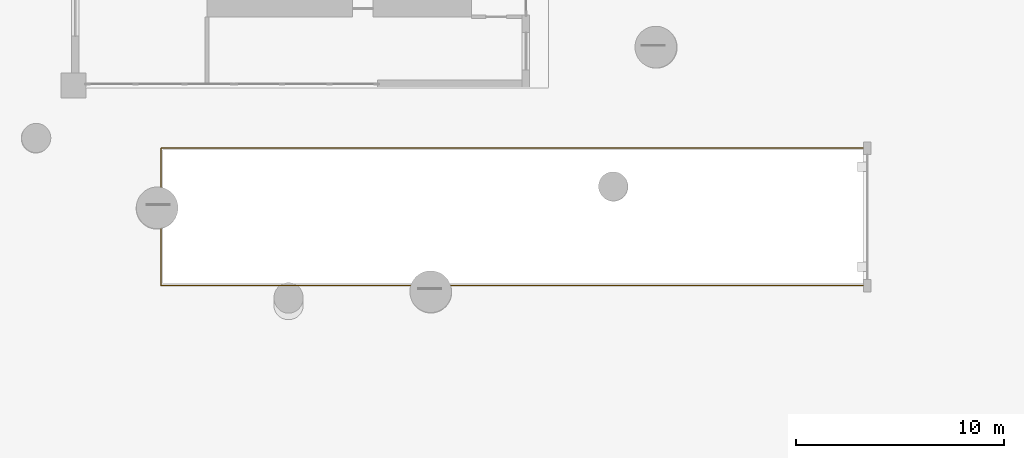
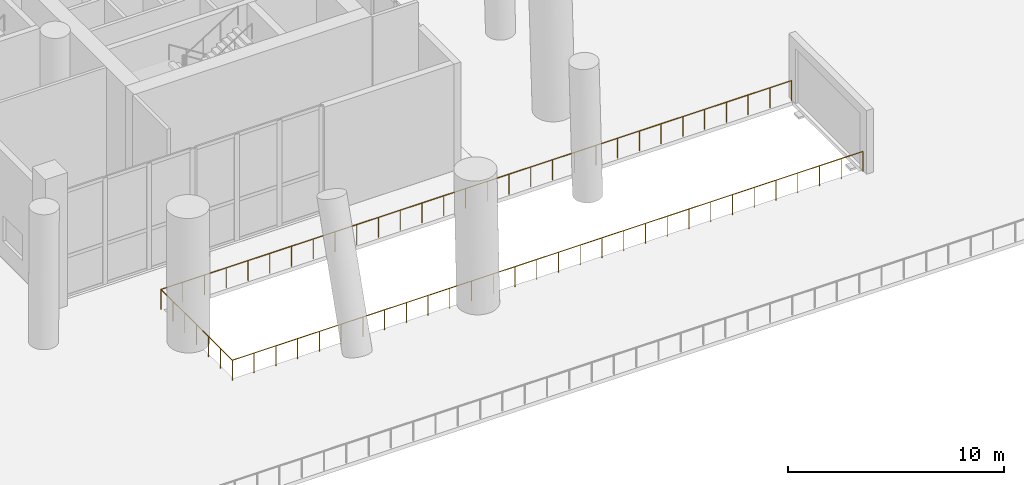
# One storey, part 14 of 16: 1 railing.
"""IFC4 building model written with IfcOpenShell, lengths in metres."""

from ifc_helpers import new_model, si_unit, direction, frame, origin, origin_2d, place, context, subcontext, project, spatial, circle, extrude, source, transform, mapped, material, type_object, element, save


model = new_model("IFC4")

# Units and contexts
model_context = context("Model", 3, precision=1e-05, world=origin(), true_north=direction((0.0, 1.0)))
body_context = subcontext(model_context, "Body", "Model", "MODEL_VIEW")
ifc_project = project(units=[si_unit("LENGTHUNIT", "METRE"), si_unit("AREAUNIT", "SQUARE_METRE"), si_unit("VOLUMEUNIT", "CUBIC_METRE"), si_unit("PLANEANGLEUNIT", "RADIAN"), si_unit("MASSUNIT", "GRAM", prefix="KILO")], contexts=[model_context])

# Site, building, storey
site_placement = place(None, origin())
site = spatial("IfcSite", under=ifc_project, at=site_placement, CompositionType="ELEMENT")
building_placement = place(site_placement, origin())
building = spatial("IfcBuilding", under=site, at=building_placement, Name="Qafzar Sky-Pleat Residences", CompositionType="ELEMENT")
storey_placement = place(building_placement, origin())
storey = spatial("IfcBuildingStorey", under=building, at=storey_placement, Name="L00", CompositionType="ELEMENT", Elevation=0.0)

# Railing
ifc_material = material(Name="Galvanised and bronze-coated Steel S355 guardrail", Category="steel")
railing_type = type_object("IfcRailingType", Name="RAIL-EXT-1150", PredefinedType="GUARDRAIL", material=ifc_material)
shared_shape = source(origin(), body_context, "Body", "SweptSolid", [
    extrude(circle(Radius=0.02392578125, at=origin_2d()), frame((0.0, 0.0, 1.1259765625), z_axis=(-1.0, 0.0, 0.0), x_axis=(0.0, -1.0, 0.0)), (0.0, 0.0, 1.0), 33.699951171875),
    extrude(circle(Radius=0.02392578125, at=origin_2d()), frame((-33.699951171875, 0.0, 1.1259765625), z_axis=(0.0, -1.0, 0.0), x_axis=(1.0, 0.0, 0.0)), (0.0, 0.0, 1.0), 6.60009765625),
    extrude(circle(Radius=0.02392578125, at=origin_2d()), frame((-33.699951171875, -6.60009765625, 1.1259765625), z_axis=(1.0, 0.0, 0.0), x_axis=(0.0, 1.0, 0.0)), (0.0, 0.0, 1.0), 33.699951171875),
    extrude(circle(Radius=0.02099609375, at=origin_2d()), origin(), (0.0, 0.0, 1.0), 1.101806640625),
    extrude(circle(Radius=0.02099609375, at=origin_2d()), frame((-1.162109375, 0.0, 0.0)), (0.0, 0.0, 1.0), 1.101806640625),
    extrude(circle(Radius=0.02099609375, at=origin_2d()), frame((-2.32421875, 0.0, 0.0)), (0.0, 0.0, 1.0), 1.101806640625),
    extrude(circle(Radius=0.02099609375, at=origin_2d()), frame((-3.486083984375, 0.0, 0.0)), (0.0, 0.0, 1.0), 1.101806640625),
    extrude(circle(Radius=0.02099609375, at=origin_2d()), frame((-4.648193359375, 0.0, 0.0)), (0.0, 0.0, 1.0), 1.101806640625),
    extrude(circle(Radius=0.02099609375, at=origin_2d()), frame((-5.810302734375, 0.0, 0.0)), (0.0, 0.0, 1.0), 1.101806640625),
    extrude(circle(Radius=0.02099609375, at=origin_2d()), frame((-6.972412109375, 0.0, 0.0)), (0.0, 0.0, 1.0), 1.101806640625),
    extrude(circle(Radius=0.02099609375, at=origin_2d()), frame((-8.134521484375, 0.0, 0.0)), (0.0, 0.0, 1.0), 1.101806640625),
    extrude(circle(Radius=0.02099609375, at=origin_2d()), frame((-9.296630859375, 0.0, 0.0)), (0.0, 0.0, 1.0), 1.101806640625),
    extrude(circle(Radius=0.02099609375, at=origin_2d()), frame((-10.45849609375, 0.0, 0.0)), (0.0, 0.0, 1.0), 1.101806640625),
    extrude(circle(Radius=0.02099609375, at=origin_2d()), frame((-11.62060546875, 0.0, 0.0)), (0.0, 0.0, 1.0), 1.101806640625),
    extrude(circle(Radius=0.02099609375, at=origin_2d()), frame((-12.78271484375, 0.0, 0.0)), (0.0, 0.0, 1.0), 1.101806640625),
    extrude(circle(Radius=0.02099609375, at=origin_2d()), frame((-13.94482421875, 0.0, 0.0)), (0.0, 0.0, 1.0), 1.101806640625),
    extrude(circle(Radius=0.02099609375, at=origin_2d()), frame((-15.10693359375, 0.0, 0.0)), (0.0, 0.0, 1.0), 1.101806640625),
    extrude(circle(Radius=0.02099609375, at=origin_2d()), frame((-16.26904296875, 0.0, 0.0)), (0.0, 0.0, 1.0), 1.101806640625),
    extrude(circle(Radius=0.02099609375, at=origin_2d()), frame((-17.430908203125, 0.0, 0.0)), (0.0, 0.0, 1.0), 1.101806640625),
    extrude(circle(Radius=0.02099609375, at=origin_2d()), frame((-18.593017578125, 0.0, 0.0)), (0.0, 0.0, 1.0), 1.101806640625),
    extrude(circle(Radius=0.02099609375, at=origin_2d()), frame((-19.755126953125, 0.0, 0.0)), (0.0, 0.0, 1.0), 1.101806640625),
    extrude(circle(Radius=0.02099609375, at=origin_2d()), frame((-20.917236328125, 0.0, 0.0)), (0.0, 0.0, 1.0), 1.101806640625),
    extrude(circle(Radius=0.02099609375, at=origin_2d()), frame((-22.079345703125, 0.0, 0.0)), (0.0, 0.0, 1.0), 1.101806640625),
    extrude(circle(Radius=0.02099609375, at=origin_2d()), frame((-23.241455078125, 0.0, 0.0)), (0.0, 0.0, 1.0), 1.101806640625),
    extrude(circle(Radius=0.02099609375, at=origin_2d()), frame((-24.4033203125, 0.0, 0.0)), (0.0, 0.0, 1.0), 1.101806640625),
    extrude(circle(Radius=0.02099609375, at=origin_2d()), frame((-25.5654296875, 0.0, 0.0)), (0.0, 0.0, 1.0), 1.101806640625),
    extrude(circle(Radius=0.02099609375, at=origin_2d()), frame((-26.7275390625, 0.0, 0.0)), (0.0, 0.0, 1.0), 1.101806640625),
    extrude(circle(Radius=0.02099609375, at=origin_2d()), frame((-27.8896484375, 0.0, 0.0)), (0.0, 0.0, 1.0), 1.101806640625),
    extrude(circle(Radius=0.02099609375, at=origin_2d()), frame((-29.0517578125, 0.0, 0.0)), (0.0, 0.0, 1.0), 1.101806640625),
    extrude(circle(Radius=0.02099609375, at=origin_2d()), frame((-30.2138671875, 0.0, 0.0)), (0.0, 0.0, 1.0), 1.101806640625),
    extrude(circle(Radius=0.02099609375, at=origin_2d()), frame((-31.375732421875, 0.0, 0.0)), (0.0, 0.0, 1.0), 1.101806640625),
    extrude(circle(Radius=0.02099609375, at=origin_2d()), frame((-32.537841796875, 0.0, 0.0)), (0.0, 0.0, 1.0), 1.101806640625),
    extrude(circle(Radius=0.02099609375, at=origin_2d()), frame((-33.699951171875, 0.0, 0.0)), (0.0, 0.0, 1.0), 1.101806640625),
    extrude(circle(Radius=0.02099609375, at=origin_2d()), frame((-33.699951171875, -1.10009765625, 0.0)), (0.0, 0.0, 1.0), 1.101806640625),
    extrude(circle(Radius=0.02099609375, at=origin_2d()), frame((-33.699951171875, -2.199951171875, 0.0)), (0.0, 0.0, 1.0), 1.101806640625),
    extrude(circle(Radius=0.02099609375, at=origin_2d()), frame((-33.699951171875, -3.300048828125, 0.0)), (0.0, 0.0, 1.0), 1.101806640625),
    extrude(circle(Radius=0.02099609375, at=origin_2d()), frame((-33.699951171875, -4.400146484375, 0.0)), (0.0, 0.0, 1.0), 1.101806640625),
    extrude(circle(Radius=0.02099609375, at=origin_2d()), frame((-33.699951171875, -5.5, 0.0)), (0.0, 0.0, 1.0), 1.101806640625),
    extrude(circle(Radius=0.02099609375, at=origin_2d()), frame((-33.699951171875, -6.60009765625, 0.0)), (0.0, 0.0, 1.0), 1.101806640625),
    extrude(circle(Radius=0.02099609375, at=origin_2d()), frame((-32.537841796875, -6.60009765625, 0.0)), (0.0, 0.0, 1.0), 1.101806640625),
    extrude(circle(Radius=0.02099609375, at=origin_2d()), frame((-31.375732421875, -6.60009765625, 0.0)), (0.0, 0.0, 1.0), 1.101806640625),
    extrude(circle(Radius=0.02099609375, at=origin_2d()), frame((-30.2138671875, -6.60009765625, 0.0)), (0.0, 0.0, 1.0), 1.101806640625),
    extrude(circle(Radius=0.02099609375, at=origin_2d()), frame((-29.0517578125, -6.60009765625, 0.0)), (0.0, 0.0, 1.0), 1.101806640625),
    extrude(circle(Radius=0.02099609375, at=origin_2d()), frame((-27.8896484375, -6.60009765625, 0.0)), (0.0, 0.0, 1.0), 1.101806640625),
    extrude(circle(Radius=0.02099609375, at=origin_2d()), frame((-26.7275390625, -6.60009765625, 0.0)), (0.0, 0.0, 1.0), 1.101806640625),
    extrude(circle(Radius=0.02099609375, at=origin_2d()), frame((-25.5654296875, -6.60009765625, 0.0)), (0.0, 0.0, 1.0), 1.101806640625),
    extrude(circle(Radius=0.02099609375, at=origin_2d()), frame((-24.4033203125, -6.60009765625, 0.0)), (0.0, 0.0, 1.0), 1.101806640625),
    extrude(circle(Radius=0.02099609375, at=origin_2d()), frame((-23.241455078125, -6.60009765625, 0.0)), (0.0, 0.0, 1.0), 1.101806640625),
    extrude(circle(Radius=0.02099609375, at=origin_2d()), frame((-22.079345703125, -6.60009765625, 0.0)), (0.0, 0.0, 1.0), 1.101806640625),
    extrude(circle(Radius=0.02099609375, at=origin_2d()), frame((-20.917236328125, -6.60009765625, 0.0)), (0.0, 0.0, 1.0), 1.101806640625),
    extrude(circle(Radius=0.02099609375, at=origin_2d()), frame((-19.755126953125, -6.60009765625, 0.0)), (0.0, 0.0, 1.0), 1.101806640625),
    extrude(circle(Radius=0.02099609375, at=origin_2d()), frame((-18.593017578125, -6.60009765625, 0.0)), (0.0, 0.0, 1.0), 1.101806640625),
    extrude(circle(Radius=0.02099609375, at=origin_2d()), frame((-17.430908203125, -6.60009765625, 0.0)), (0.0, 0.0, 1.0), 1.101806640625),
    extrude(circle(Radius=0.02099609375, at=origin_2d()), frame((-16.26904296875, -6.60009765625, 0.0)), (0.0, 0.0, 1.0), 1.101806640625),
    extrude(circle(Radius=0.02099609375, at=origin_2d()), frame((-15.10693359375, -6.60009765625, 0.0)), (0.0, 0.0, 1.0), 1.101806640625),
    extrude(circle(Radius=0.02099609375, at=origin_2d()), frame((-13.94482421875, -6.60009765625, 0.0)), (0.0, 0.0, 1.0), 1.101806640625),
    extrude(circle(Radius=0.02099609375, at=origin_2d()), frame((-12.78271484375, -6.60009765625, 0.0)), (0.0, 0.0, 1.0), 1.101806640625),
    extrude(circle(Radius=0.02099609375, at=origin_2d()), frame((-11.62060546875, -6.60009765625, 0.0)), (0.0, 0.0, 1.0), 1.101806640625),
    extrude(circle(Radius=0.02099609375, at=origin_2d()), frame((-10.45849609375, -6.60009765625, 0.0)), (0.0, 0.0, 1.0), 1.101806640625),
    extrude(circle(Radius=0.02099609375, at=origin_2d()), frame((-9.296630859375, -6.60009765625, 0.0)), (0.0, 0.0, 1.0), 1.101806640625),
    extrude(circle(Radius=0.02099609375, at=origin_2d()), frame((-8.134521484375, -6.60009765625, 0.0)), (0.0, 0.0, 1.0), 1.101806640625),
    extrude(circle(Radius=0.02099609375, at=origin_2d()), frame((-6.972412109375, -6.60009765625, 0.0)), (0.0, 0.0, 1.0), 1.101806640625),
    extrude(circle(Radius=0.02099609375, at=origin_2d()), frame((-5.810302734375, -6.60009765625, 0.0)), (0.0, 0.0, 1.0), 1.101806640625),
    extrude(circle(Radius=0.02099609375, at=origin_2d()), frame((-4.648193359375, -6.60009765625, 0.0)), (0.0, 0.0, 1.0), 1.101806640625),
    extrude(circle(Radius=0.02099609375, at=origin_2d()), frame((-3.486083984375, -6.60009765625, 0.0)), (0.0, 0.0, 1.0), 1.101806640625),
    extrude(circle(Radius=0.02099609375, at=origin_2d()), frame((-2.32421875, -6.60009765625, 0.0)), (0.0, 0.0, 1.0), 1.101806640625),
    extrude(circle(Radius=0.02099609375, at=origin_2d()), frame((-1.162109375, -6.60009765625, 0.0)), (0.0, 0.0, 1.0), 1.101806640625),
    extrude(circle(Radius=0.02099609375, at=origin_2d()), frame((0.0, -6.60009765625, 0.0)), (0.0, 0.0, 1.0), 1.101806640625),
])
railing_placement = place(storey_placement, frame((55.5, 11.10009765625, 0.0)))
element("IfcRailing", 1, at=railing_placement, inside=storey, type_object=railing_type, Name="L00 Vehicle Ramp Opening Guardrail", PredefinedType="GUARDRAIL", context=body_context, shape_type="MappedRepresentation", body=[
    mapped(shared_shape, transform((0.0, 0.0, 0.0), x_axis=(1.0, 0.0, 0.0), y_axis=(0.0, 1.0, 0.0), z_axis=(0.0, 0.0, 1.0), scale=1.0)),
])

save(model, "model.ifc")
